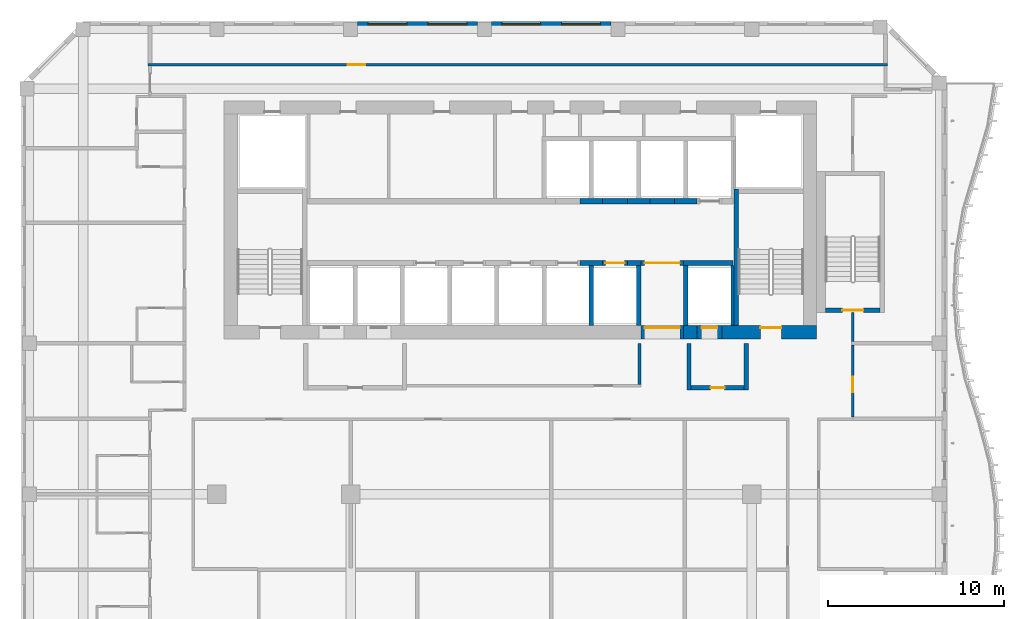
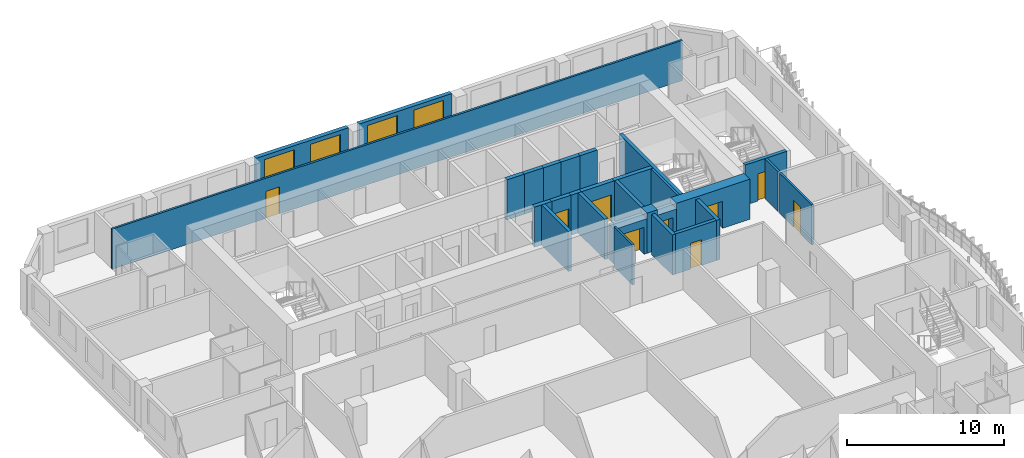
# One storey, part 9 of 21: 29 walls, 9 doors, 4 windows, 13 openings.
"""IFC4 building model written with IfcOpenShell, lengths in metres."""

from ifc_helpers import new_model, si_unit, direction, frame, frame_2d, origin, place, context, subcontext, project, spatial, rectangle, extrude, source, transform, mapped, material, layer, layer_set, type_object, element, fill, save


model = new_model("IFC4")

# Units and contexts
model_context = context("Model", 3, precision=1e-05, world=origin(), true_north=direction((0.0, 1.0)))
body_context = subcontext(model_context, "Body", "Model", "MODEL_VIEW")
ifc_project = project(units=[si_unit("LENGTHUNIT", "METRE"), si_unit("AREAUNIT", "SQUARE_METRE"), si_unit("VOLUMEUNIT", "CUBIC_METRE"), si_unit("PLANEANGLEUNIT", "RADIAN"), si_unit("MASSUNIT", "GRAM", prefix="KILO")], contexts=[model_context])

# Site, building, storey
site_placement = place(None, origin())
site = spatial("IfcSite", under=ifc_project, at=site_placement, CompositionType="ELEMENT")
building_placement = place(site_placement, origin())
building = spatial("IfcBuilding", under=site, at=building_placement, Name="Kilnfold Tower and Market Hall", CompositionType="ELEMENT")
storey_placement = place(building_placement, frame((0.0, 0.0, 182.10009765625)))
storey = spatial("IfcBuildingStorey", under=building, at=storey_placement, Name="L43", CompositionType="ELEMENT", Elevation=182.10009765625)

# Wall, opening, door
ifc_material_1 = material(Name="Gypsum board on steel studs", Category="steel")
ifc_layer_1 = layer(ifc_material_1, 0.14990234375)
ifc_layer_set_1 = layer_set([ifc_layer_1], Name="Gypsum board on steel studs")
wall_type_1 = type_object("IfcWallType", Name="WALL CORRIDOR 150", PredefinedType="PARTITIONING", material=ifc_layer_set_1)
wall_1_placement = place(storey_placement, frame((19.89990234375, 3.80908203125, 0.0), z_axis=(0.0, 0.0, 1.0), x_axis=(0.0, 1.0, 0.0)))
wall_1 = element("IfcWall", 1, at=wall_1_placement, inside=storey, type_object=wall_type_1, Name="Partition LY27.29", PredefinedType="PARTITIONING", context=body_context, shape_type="SweptSolid", body=[
    extrude(rectangle(XDim=4.100830078125, YDim=0.14990234375, at=frame_2d((2.05029296875, 0.0))), origin(), (0.0, 0.0, 1.0), 3.119873046875),
])
opening_1_placement = place(wall_1_placement, frame((1.39990234375, 0.0, 0.0)))
opening_1 = element("IfcOpeningElement", 2, at=opening_1_placement, cuts=wall_1, Name="Opening D2", PredefinedType="OPENING", context=body_context, shape_type="SweptSolid", body=[
    extrude(rectangle(XDim=0.89990234375, YDim=2.10009765625, at=frame_2d((0.449951171875, 1.050048828125))), frame((0.0, 0.0849609375, 0.0), z_axis=(0.0, -1.0, 0.0), x_axis=(1.0, 0.0, 0.0)), (0.0, 0.0, 1.0), 0.169921875),
])
ifc_material_2 = material(Name="Timber veneer door leaf in steel frame", Category="steel")
door_type_1 = type_object("IfcDoorType", Name="DOOR ROOM 900 X2100", OperationType="NOTDEFINED", PredefinedType="DOOR", material=ifc_material_2)
door_1_placement = place(opening_1_placement, origin())
door_1 = element("IfcDoor", 3, at=door_1_placement, inside=storey, type_object=door_type_1, Name="Door D2", OperationType="SINGLE_SWING_LEFT", OverallHeight=2.10009765625, OverallWidth=0.89990234375, PredefinedType="DOOR", context=body_context, shape_type="SweptSolid", body=[
    extrude(rectangle(XDim=0.89990234375, YDim=2.10009765625, at=frame_2d((0.449951171875, 1.050048828125))), frame((0.0, 0.02490234375, 0.0), z_axis=(0.0, -1.0, 0.0), x_axis=(1.0, 0.0, 0.0)), (0.0, 0.0, 1.0), 0.050048828125),
])
fill(opening_1, door_1)

# Wall
wall_2_placement = place(storey_placement, frame((19.89990234375, 8.090087890625, 0.0), z_axis=(0.0, 0.0, 1.0), x_axis=(0.0, 1.0, 0.0)))
element("IfcWall", 4, at=wall_2_placement, inside=storey, type_object=wall_type_1, Name="Partition LY27.32", PredefinedType="PARTITIONING", context=body_context, shape_type="SweptSolid", body=[
    extrude(rectangle(XDim=1.659912109375, YDim=0.14990234375, at=frame_2d((0.830078125, 0.0))), origin(), (0.0, 0.0, 1.0), 3.119873046875),
])

# Wall, opening, door
wall_3_placement = place(storey_placement, frame((21.85009765625, 23.800048828125, 0.0), z_axis=(0.0, 0.0, 1.0), x_axis=(-1.0, 0.0, 0.0)))
wall_3 = element("IfcWall", 5, at=wall_3_placement, inside=storey, type_object=wall_type_1, Name="Partition LY27.39", PredefinedType="PARTITIONING", context=body_context, shape_type="SweptSolid", body=[
    extrude(rectangle(XDim=41.9091796875, YDim=0.14990234375, at=frame_2d((20.95458984375, 0.0))), origin(), (0.0, 0.0, 1.0), 3.119873046875),
])
opening_2_placement = place(wall_3_placement, frame((29.60693359375, 0.0, 0.0)))
opening_2 = element("IfcOpeningElement", 6, at=opening_2_placement, cuts=wall_3, Name="Opening D4", PredefinedType="OPENING", context=body_context, shape_type="SweptSolid", body=[
    extrude(rectangle(XDim=1.0, YDim=2.10009765625, at=frame_2d((0.5, 1.050048828125))), frame((0.0, 0.0849609375, 0.0), z_axis=(0.0, -1.0, 0.0), x_axis=(1.0, 0.0, 0.0)), (0.0, 0.0, 1.0), 0.169921875),
])
ifc_material_3 = material(Name="Timber veneer door leaf in steel frame", Category="steel")
door_type_2 = type_object("IfcDoorType", Name="DOOR SERVICE 1000 X2100", OperationType="NOTDEFINED", PredefinedType="DOOR", material=ifc_material_3)
door_2_placement = place(opening_2_placement, origin())
door_2 = element("IfcDoor", 7, at=door_2_placement, inside=storey, type_object=door_type_2, Name="Door D4", OperationType="SINGLE_SWING_LEFT", OverallHeight=2.10009765625, OverallWidth=1.0, PredefinedType="DOOR", context=body_context, shape_type="SweptSolid", body=[
    extrude(rectangle(XDim=1.0, YDim=2.10009765625, at=frame_2d((0.5, 1.050048828125))), frame((0.0, 0.02490234375, 0.0), z_axis=(0.0, -1.0, 0.0), x_axis=(1.0, 0.0, 0.0)), (0.0, 0.0, 1.0), 0.050048828125),
])
fill(opening_2, door_2)

# Walls
wall_4_placement = place(storey_placement, frame((7.800048828125, 8.0, 0.0), z_axis=(0.0, 0.0, 1.0), x_axis=(0.0, -1.0, 0.0)))
element("IfcWall", 8, at=wall_4_placement, inside=storey, type_object=wall_type_1, Name="Partition LY27.41", PredefinedType="PARTITIONING", context=body_context, shape_type="SweptSolid", body=[
    extrude(rectangle(XDim=2.324951171875, YDim=0.14990234375, at=frame_2d((1.16259765625, 0.0))), origin(), (0.0, 0.0, 1.0), 3.119873046875),
])
ifc_material_4 = material(Name="Concrete C60", Category="concrete")
ifc_layer_2 = layer(ifc_material_4, 0.25)
ifc_layer_set_2 = layer_set([ifc_layer_2], Name="Concrete C60")
wall_type_2 = type_object("IfcWallType", Name="CORE WALL 250 C60", PredefinedType="SHEAR", material=ifc_layer_set_2)
shared_shape_1 = source(origin(), body_context, "Body", "SweptSolid", [
    extrude(rectangle(XDim=7.75, YDim=0.25, at=frame_2d((3.875, 0.0))), origin(), (0.0, 0.0, 1.0), 3.119873046875),
])
wall_5_placement = place(storey_placement, frame((13.27490234375, 9.0, 0.0), z_axis=(0.0, 0.0, 1.0), x_axis=(0.0, 1.0, 0.0)))
element("IfcWall", 9, at=wall_5_placement, inside=storey, type_object=wall_type_2, Name="Stair enclosure ST2", PredefinedType="SHEAR", context=body_context, shape_type="MappedRepresentation", body=[
    mapped(shared_shape_1, transform((0.0, 0.0, 0.0))),
])

# Wall, opening, door
shared_shape_2 = source(origin(), body_context, "Body", "SweptSolid", [
    extrude(rectangle(XDim=3.099853515625, YDim=0.25, at=frame_2d((1.5498046875, 0.0))), origin(), (0.0, 0.0, 1.0), 3.119873046875),
])
wall_6_placement = place(storey_placement, frame((18.35009765625, 9.875, 0.0), z_axis=(0.0, 0.0, 1.0), x_axis=(1.0, 0.0, 0.0)))
wall_6 = element("IfcWall", 10, at=wall_6_placement, inside=storey, type_object=wall_type_2, Name="Stair enclosure ST5", PredefinedType="SHEAR", context=body_context, shape_type="MappedRepresentation", body=[
    mapped(shared_shape_2, transform((0.0, 0.0, 0.0))),
])
opening_3_placement = place(wall_6_placement, frame((0.949951171875, 0.0, 0.0)))
opening_3 = element("IfcOpeningElement", 11, at=opening_3_placement, cuts=wall_6, Name="Opening SD1", PredefinedType="OPENING", context=body_context, shape_type="SweptSolid", body=[
    extrude(rectangle(XDim=1.199951171875, YDim=2.10009765625, at=frame_2d((0.60009765625, 1.050048828125))), frame((0.0, 0.135009765625, 0.0), z_axis=(0.0, -1.0, 0.0), x_axis=(1.0, 0.0, 0.0)), (0.0, 0.0, 1.0), 0.27001953125),
])
ifc_material_5 = material(Name="Steel door set with fire-resisting leaf", Category="steel")
door_type_3 = type_object("IfcDoorType", Name="STAIR FLOOR DOOR 1200X2100", OperationType="NOTDEFINED", PredefinedType="DOOR", material=ifc_material_5)
door_3_placement = place(opening_3_placement, origin())
door_3 = element("IfcDoor", 12, at=door_3_placement, inside=storey, type_object=door_type_3, Name="Exit stair ST5 door", OperationType="DOUBLE_DOOR_SINGLE_SWING", OverallHeight=2.10009765625, OverallWidth=1.199951171875, PredefinedType="DOOR", context=body_context, shape_type="SweptSolid", body=[
    extrude(rectangle(XDim=1.199951171875, YDim=2.10009765625, at=frame_2d((0.60009765625, 1.050048828125))), frame((0.0, 0.02490234375, 0.0), z_axis=(0.0, -1.0, 0.0), x_axis=(1.0, 0.0, 0.0)), (0.0, 0.0, 1.0), 0.050048828125),
])
fill(opening_3, door_3)

# Walls
ifc_material_6 = material(Name="Concrete C60", Category="concrete")
ifc_layer_3 = layer(ifc_material_6, 0.300048828125)
ifc_layer_set_3 = layer_set([ifc_layer_3], Name="Concrete C60")
wall_type_3 = type_object("IfcWallType", Name="CORE WALL 300 C60", PredefinedType="SHEAR", material=ifc_layer_set_3)
shared_shape_3 = source(origin(), body_context, "Body", "SweptSolid", [
    extrude(rectangle(XDim=1.280029296875, YDim=0.300048828125, at=frame_2d((0.64013671875, 0.0))), origin(), (0.0, 0.0, 1.0), 3.119873046875),
])
for number, where, z_axis, x_axis, name in (
    (13, (4.429931640625, 12.550048828125, 0.0), (0.0, 0.0, 1.0), (1.0, 0.0, 0.0), "Core spine wall"),
    (14, (4.429931640625, 16.050048828125, 0.0), (0.0, 0.0, 1.0), (1.0, 0.0, 0.0), "Core spine wall"),
    (15, (9.7900390625, 16.050048828125, 0.0), (0.0, 0.0, 1.0), (1.0, 0.0, 0.0), "Core spine wall"),
):
    element("IfcWall", number, at=place(storey_placement, frame(where, z_axis=z_axis, x_axis=x_axis)), inside=storey, type_object=wall_type_3, Name=name, PredefinedType="SHEAR", context=body_context, shape_type="MappedRepresentation", body=[
        mapped(shared_shape_3, transform((0.0, 0.0, 0.0))),
    ])
shared_shape_4 = source(origin(), body_context, "Body", "SweptSolid", [
    extrude(rectangle(XDim=0.77978515625, YDim=0.300048828125, at=frame_2d((0.389892578125, 0.0))), origin(), (0.0, 0.0, 1.0), 3.119873046875),
])
wall_7_placement = place(storey_placement, frame((7.110107421875, 12.550048828125, 0.0), z_axis=(0.0, 0.0, 1.0), x_axis=(1.0, 0.0, 0.0)))
element("IfcWall", 16, at=wall_7_placement, inside=storey, type_object=wall_type_3, Name="Core spine wall", PredefinedType="SHEAR", context=body_context, shape_type="MappedRepresentation", body=[
    mapped(shared_shape_4, transform((0.0, 0.0, 0.0))),
])
shared_shape_5 = source(origin(), body_context, "Body", "SweptSolid", [
    extrude(rectangle(XDim=2.820068359375, YDim=0.300048828125, at=frame_2d((1.41015625, 0.0))), origin(), (0.0, 0.0, 1.0), 3.119873046875),
])
wall_8_placement = place(storey_placement, frame((10.2900390625, 12.550048828125, 0.0), z_axis=(0.0, 0.0, 1.0), x_axis=(1.0, 0.0, 0.0)))
element("IfcWall", 17, at=wall_8_placement, inside=storey, type_object=wall_type_3, Name="Core spine wall", PredefinedType="SHEAR", context=body_context, shape_type="MappedRepresentation", body=[
    mapped(shared_shape_5, transform((0.0, 0.0, 0.0))),
])
shared_shape_6 = source(origin(), body_context, "Body", "SweptSolid", [
    extrude(rectangle(XDim=1.27978515625, YDim=0.300048828125, at=frame_2d((0.639892578125, 0.0))), origin(), (0.0, 0.0, 1.0), 3.119873046875),
])
wall_9_placement = place(storey_placement, frame((7.110107421875, 16.050048828125, 0.0), z_axis=(0.0, 0.0, 1.0), x_axis=(1.0, 0.0, 0.0)))
element("IfcWall", 18, at=wall_9_placement, inside=storey, type_object=wall_type_3, Name="Core spine wall", PredefinedType="SHEAR", context=body_context, shape_type="MappedRepresentation", body=[
    mapped(shared_shape_6, transform((0.0, 0.0, 0.0))),
])
ifc_material_7 = material(Name="Concrete C60", Category="concrete")
ifc_layer_4 = layer(ifc_material_7, 0.75)
ifc_layer_set_4 = layer_set([ifc_layer_4], Name="Concrete C60")
wall_type_4 = type_object("IfcWallType", Name="CORE WALL 750 C60", PredefinedType="SHEAR", material=ifc_layer_set_4)
shared_shape_7 = source(origin(), body_context, "Body", "SweptSolid", [
    extrude(rectangle(XDim=0.780029296875, YDim=0.75, at=frame_2d((0.39013671875, 0.0))), origin(), (0.0, 0.0, 1.0), 3.119873046875),
])
wall_10_placement = place(storey_placement, frame((10.2900390625, 8.625, 0.0), z_axis=(0.0, 0.0, 1.0), x_axis=(1.0, 0.0, 0.0)))
element("IfcWall", 19, at=wall_10_placement, inside=storey, type_object=wall_type_4, Name="Core outer wall south", PredefinedType="SHEAR", context=body_context, shape_type="MappedRepresentation", body=[
    mapped(shared_shape_7, transform((0.0, 0.0, 0.0))),
])

# Wall, opening, door
shared_shape_8 = source(origin(), body_context, "Body", "SweptSolid", [
    extrude(rectangle(XDim=5.380126953125, YDim=0.75, at=frame_2d((2.68994140625, 0.0))), origin(), (0.0, 0.0, 1.0), 3.119873046875),
])
wall_11_placement = place(storey_placement, frame((12.469970703125, 8.625, 0.0), z_axis=(0.0, 0.0, 1.0), x_axis=(1.0, 0.0, 0.0)))
wall_11 = element("IfcWall", 20, at=wall_11_placement, inside=storey, type_object=wall_type_4, Name="Core outer wall south", PredefinedType="SHEAR", context=body_context, shape_type="MappedRepresentation", body=[
    mapped(shared_shape_8, transform((0.0, 0.0, 0.0))),
])
opening_4_placement = place(wall_11_placement, frame((2.179931640625, 0.0, 0.0)))
opening_4 = element("IfcOpeningElement", 21, at=opening_4_placement, cuts=wall_11, Name="Opening SD1", PredefinedType="OPENING", context=body_context, shape_type="SweptSolid", body=[
    extrude(rectangle(XDim=1.199951171875, YDim=2.10009765625, at=frame_2d((0.60009765625, 1.050048828125))), frame((0.0, 0.385009765625, 0.0), z_axis=(0.0, -1.0, 0.0), x_axis=(1.0, 0.0, 0.0)), (0.0, 0.0, 1.0), 0.77001953125),
])
door_4_placement = place(opening_4_placement, origin())
door_4 = element("IfcDoor", 22, at=door_4_placement, inside=storey, type_object=door_type_3, Name="Exit stair ST2 door", OperationType="DOUBLE_DOOR_SINGLE_SWING", OverallHeight=2.10009765625, OverallWidth=1.199951171875, PredefinedType="DOOR", context=body_context, shape_type="SweptSolid", body=[
    extrude(rectangle(XDim=1.199951171875, YDim=2.10009765625, at=frame_2d((0.60009765625, 1.050048828125))), frame((0.0, 0.27978515625, 0.0), z_axis=(0.0, -1.0, 0.0), x_axis=(1.0, 0.0, 0.0)), (0.0, 0.0, 1.0), 0.050048828125),
])
fill(opening_4, door_4)

# Wall, openings, windows
ifc_material_8 = material(Name="Precast concrete C50/60", Category="concrete")
ifc_layer_5 = layer(ifc_material_8, 0.300048828125)
ifc_layer_set_5 = layer_set([ifc_layer_5], Name="Precast concrete C50/60")
wall_type_5 = type_object("IfcWallType", Name="PRECAST WALL 300", PredefinedType="SOLIDWALL", material=ifc_layer_set_5)
shared_shape_9 = source(origin(), body_context, "Body", "SweptSolid", [
    extrude(rectangle(XDim=6.783447265625, YDim=0.300048828125, at=frame_2d((3.3916015625, 0.0))), origin(), (0.0, 0.0, 1.0), 3.119873046875),
])
wall_12_placement = place(storey_placement, frame((6.183349609375, 26.10009765625, 0.0), z_axis=(0.0, 0.0, 1.0), x_axis=(-1.0, 0.0, 0.0)))
wall_12 = element("IfcWall", 23, at=wall_12_placement, inside=storey, type_object=wall_type_5, Name="External wall L43 N", PredefinedType="SOLIDWALL", context=body_context, shape_type="MappedRepresentation", body=[
    mapped(shared_shape_9, transform((0.0, 0.0, 0.0))),
])
opening_5_placement = place(wall_12_placement, frame((0.595703125, 0.0, 0.85009765625)))
opening_5 = element("IfcOpeningElement", 24, at=opening_5_placement, cuts=wall_12, Name="Opening W2", PredefinedType="OPENING", context=body_context, shape_type="SweptSolid", body=[
    extrude(rectangle(XDim=2.199951171875, YDim=1.949951171875, at=frame_2d((1.10009765625, 0.97509765625))), frame((0.0, 0.16015625, 0.0), z_axis=(0.0, -1.0, 0.0), x_axis=(1.0, 0.0, 0.0)), (0.0, 0.0, 1.0), 0.320068359375),
])
opening_6_placement = place(wall_12_placement, frame((3.987548828125, 0.0, 0.85009765625)))
opening_6 = element("IfcOpeningElement", 25, at=opening_6_placement, cuts=wall_12, Name="Opening W2", PredefinedType="OPENING", context=body_context, shape_type="SweptSolid", body=[
    extrude(rectangle(XDim=2.199951171875, YDim=1.949951171875, at=frame_2d((1.10009765625, 0.97509765625))), frame((0.0, 0.16015625, 0.0), z_axis=(0.0, -1.0, 0.0), x_axis=(1.0, 0.0, 0.0)), (0.0, 0.0, 1.0), 0.320068359375),
])
ifc_material_9 = material(Name="Aluminium frame and double glazing", Category="aluminium")
window_type = type_object("IfcWindowType", Name="WINDOW W2 2200X1950", PartitioningType="SINGLE_PANEL", PredefinedType="WINDOW", material=ifc_material_9)
window_1_placement = place(opening_5_placement, origin())
window_1 = element("IfcWindow", 26, at=window_1_placement, inside=storey, type_object=window_type, Name="Window W2 L43 N-1", OverallHeight=1.949951171875, OverallWidth=2.199951171875, PartitioningType="SINGLE_PANEL", PredefinedType="WINDOW", context=body_context, shape_type="SweptSolid", body=[
    extrude(rectangle(XDim=2.199951171875, YDim=1.949951171875, at=frame_2d((1.10009765625, 0.97509765625))), frame((0.0, 0.030029296875, 0.0), z_axis=(0.0, -1.0, 0.0), x_axis=(1.0, 0.0, 0.0)), (0.0, 0.0, 1.0), 0.06005859375),
])
fill(opening_5, window_1)
window_2_placement = place(opening_6_placement, origin())
window_2 = element("IfcWindow", 27, at=window_2_placement, inside=storey, type_object=window_type, Name="Window W2 L43 N-2", OverallHeight=1.949951171875, OverallWidth=2.199951171875, PartitioningType="SINGLE_PANEL", PredefinedType="WINDOW", context=body_context, shape_type="SweptSolid", body=[
    extrude(rectangle(XDim=2.199951171875, YDim=1.949951171875, at=frame_2d((1.10009765625, 0.97509765625))), frame((0.0, 0.030029296875, 0.0), z_axis=(0.0, -1.0, 0.0), x_axis=(1.0, 0.0, 0.0)), (0.0, 0.0, 1.0), 0.06005859375),
])
fill(opening_6, window_2)

wall_13_placement = place(storey_placement, frame((-1.39990234375, 26.10009765625, 0.0), z_axis=(0.0, 0.0, 1.0), x_axis=(-1.0, 0.0, 0.0)))
wall_13 = element("IfcWall", 28, at=wall_13_placement, inside=storey, type_object=wall_type_5, Name="External wall L43 N", PredefinedType="SOLIDWALL", context=body_context, shape_type="MappedRepresentation", body=[
    mapped(shared_shape_9, transform((0.0, 0.0, 0.0))),
])
opening_7_placement = place(wall_13_placement, frame((0.595703125, 0.0, 0.85009765625)))
opening_7 = element("IfcOpeningElement", 29, at=opening_7_placement, cuts=wall_13, Name="Opening W2", PredefinedType="OPENING", context=body_context, shape_type="SweptSolid", body=[
    extrude(rectangle(XDim=2.199951171875, YDim=1.949951171875, at=frame_2d((1.10009765625, 0.97509765625))), frame((0.0, 0.16015625, 0.0), z_axis=(0.0, -1.0, 0.0), x_axis=(1.0, 0.0, 0.0)), (0.0, 0.0, 1.0), 0.320068359375),
])
opening_8_placement = place(wall_13_placement, frame((3.987548828125, 0.0, 0.85009765625)))
opening_8 = element("IfcOpeningElement", 30, at=opening_8_placement, cuts=wall_13, Name="Opening W2", PredefinedType="OPENING", context=body_context, shape_type="SweptSolid", body=[
    extrude(rectangle(XDim=2.199951171875, YDim=1.949951171875, at=frame_2d((1.10009765625, 0.97509765625))), frame((0.0, 0.16015625, 0.0), z_axis=(0.0, -1.0, 0.0), x_axis=(1.0, 0.0, 0.0)), (0.0, 0.0, 1.0), 0.320068359375),
])
window_3_placement = place(opening_7_placement, origin())
window_3 = element("IfcWindow", 31, at=window_3_placement, inside=storey, type_object=window_type, Name="Window W2 L43 N-1", OverallHeight=1.949951171875, OverallWidth=2.199951171875, PartitioningType="SINGLE_PANEL", PredefinedType="WINDOW", context=body_context, shape_type="SweptSolid", body=[
    extrude(rectangle(XDim=2.199951171875, YDim=1.949951171875, at=frame_2d((1.10009765625, 0.97509765625))), frame((0.0, 0.030029296875, 0.0), z_axis=(0.0, -1.0, 0.0), x_axis=(1.0, 0.0, 0.0)), (0.0, 0.0, 1.0), 0.06005859375),
])
fill(opening_7, window_3)
window_4_placement = place(opening_8_placement, origin())
window_4 = element("IfcWindow", 32, at=window_4_placement, inside=storey, type_object=window_type, Name="Window W2 L43 N-2", OverallHeight=1.949951171875, OverallWidth=2.199951171875, PartitioningType="SINGLE_PANEL", PredefinedType="WINDOW", context=body_context, shape_type="SweptSolid", body=[
    extrude(rectangle(XDim=2.199951171875, YDim=1.949951171875, at=frame_2d((1.10009765625, 0.97509765625))), frame((0.0, 0.030029296875, 0.0), z_axis=(0.0, -1.0, 0.0), x_axis=(1.0, 0.0, 0.0)), (0.0, 0.0, 1.0), 0.06005859375),
])
fill(opening_8, window_4)

# Wall, opening, door
ifc_material_10 = material(Name="Gypsum shaft wall system")
ifc_layer_6 = layer(ifc_material_10, 0.300048828125)
ifc_layer_set_6 = layer_set([ifc_layer_6], Name="Gypsum shaft wall system")
wall_type_6 = type_object("IfcWallType", Name="SHAFT WALL 300", PredefinedType="PARTITIONING", material=ifc_layer_set_6)
shared_shape_10 = source(origin(), body_context, "Body", "SweptSolid", [
    extrude(rectangle(XDim=1.400146484375, YDim=0.300048828125, at=frame_2d((0.7001953125, 0.0))), origin(), (0.0, 0.0, 1.0), 3.119873046875),
])
wall_14_placement = place(storey_placement, frame((5.7099609375, 12.550048828125, 0.0), z_axis=(0.0, 0.0, 1.0), x_axis=(1.0, 0.0, 0.0)))
wall_14 = element("IfcWall", 33, at=wall_14_placement, inside=storey, type_object=wall_type_6, Name="Lift shaft front wall", PredefinedType="PARTITIONING", context=body_context, shape_type="MappedRepresentation", body=[
    mapped(shared_shape_10, transform((0.0, 0.0, 0.0))),
])
opening_9_placement = place(wall_14_placement, frame((0.14990234375, 0.0, 0.0)))
opening_9 = element("IfcOpeningElement", 34, at=opening_9_placement, cuts=wall_14, Name="Opening LD2", PredefinedType="OPENING", context=body_context, shape_type="SweptSolid", body=[
    extrude(rectangle(XDim=1.10009765625, YDim=2.10009765625, at=frame_2d((0.550048828125, 1.050048828125))), frame((0.0, 0.16015625, 0.0), z_axis=(0.0, -1.0, 0.0), x_axis=(1.0, 0.0, 0.0)), (0.0, 0.0, 1.0), 0.320068359375),
])
ifc_material_11 = material(Name="Steel door set with fire-resisting leaf", Category="steel")
door_type_4 = type_object("IfcDoorType", Name="LANDING DOOR 1100X2100", OperationType="NOTDEFINED", PredefinedType="DOOR", material=ifc_material_11)
door_5_placement = place(opening_9_placement, origin())
door_5 = element("IfcDoor", 35, at=door_5_placement, inside=storey, type_object=door_type_4, Name="Landing door MR5", OperationType="DOUBLE_DOOR_SLIDING", OverallHeight=2.10009765625, OverallWidth=1.10009765625, PredefinedType="DOOR", context=body_context, shape_type="SweptSolid", body=[
    extrude(rectangle(XDim=1.10009765625, YDim=2.10009765625, at=frame_2d((0.550048828125, 1.050048828125))), frame((0.0, 0.02490234375, 0.0), z_axis=(0.0, -1.0, 0.0), x_axis=(1.0, 0.0, 0.0)), (0.0, 0.0, 1.0), 0.050048828125),
])
fill(opening_9, door_5)

# Walls
for number, where, z_axis, x_axis, name in (
    (36, (5.7099609375, 16.050048828125, 0.0), (0.0, 0.0, 1.0), (1.0, 0.0, 0.0), "Lift shaft front wall"),
    (37, (8.389892578125, 16.050048828125, 0.0), (0.0, 0.0, 1.0), (1.0, 0.0, 0.0), "Lift shaft front wall"),
):
    element("IfcWall", number, at=place(storey_placement, frame(where, z_axis=z_axis, x_axis=x_axis)), inside=storey, type_object=wall_type_6, Name=name, PredefinedType="PARTITIONING", context=body_context, shape_type="MappedRepresentation", body=[
        mapped(shared_shape_10, transform((0.0, 0.0, 0.0))),
    ])

# Wall, opening, door
shared_shape_11 = source(origin(), body_context, "Body", "SweptSolid", [
    extrude(rectangle(XDim=2.400146484375, YDim=0.300048828125, at=frame_2d((1.2001953125, 0.0))), origin(), (0.0, 0.0, 1.0), 3.119873046875),
])
wall_15_placement = place(storey_placement, frame((7.889892578125, 12.550048828125, 0.0), z_axis=(0.0, 0.0, 1.0), x_axis=(1.0, 0.0, 0.0)))
wall_15 = element("IfcWall", 38, at=wall_15_placement, inside=storey, type_object=wall_type_6, Name="Lift shaft front wall", PredefinedType="PARTITIONING", context=body_context, shape_type="MappedRepresentation", body=[
    mapped(shared_shape_11, transform((0.0, 0.0, 0.0))),
])
opening_10_placement = place(wall_15_placement, frame((0.199951171875, 0.0, 0.0)))
opening_10 = element("IfcOpeningElement", 39, at=opening_10_placement, cuts=wall_15, Name="Opening VD2", PredefinedType="OPENING", context=body_context, shape_type="SweptSolid", body=[
    extrude(rectangle(XDim=2.0, YDim=2.10009765625, at=frame_2d((1.0, 1.050048828125))), frame((0.0, 0.16015625, 0.0), z_axis=(0.0, -1.0, 0.0), x_axis=(1.0, 0.0, 0.0)), (0.0, 0.0, 1.0), 0.320068359375),
])
ifc_material_12 = material(Name="Steel door set with fire-resisting leaf", Category="steel")
door_type_5 = type_object("IfcDoorType", Name="LIFT LOBBY ENTRANCE DOOR 2000X2100", OperationType="NOTDEFINED", PredefinedType="DOOR", material=ifc_material_12)
door_6_placement = place(opening_10_placement, origin())
door_6 = element("IfcDoor", 40, at=door_6_placement, inside=storey, type_object=door_type_5, Name="Lift lobby entrance door", OperationType="DOUBLE_DOOR_SINGLE_SWING", OverallHeight=2.10009765625, OverallWidth=2.0, PredefinedType="DOOR", context=body_context, shape_type="SweptSolid", body=[
    extrude(rectangle(XDim=2.0, YDim=2.10009765625, at=frame_2d((1.0, 1.050048828125))), frame((0.0, 0.02490234375, 0.0), z_axis=(0.0, -1.0, 0.0), x_axis=(1.0, 0.0, 0.0)), (0.0, 0.0, 1.0), 0.050048828125),
])
fill(opening_10, door_6)

# Walls
ifc_material_13 = material(Name="Gypsum shaft wall system")
ifc_layer_7 = layer(ifc_material_13, 0.25)
ifc_layer_set_7 = layer_set([ifc_layer_7], Name="Gypsum shaft wall system")
wall_type_7 = type_object("IfcWallType", Name="LOBBY WALL 250", PredefinedType="PARTITIONING", material=ifc_layer_set_7)
shared_shape_12 = source(origin(), body_context, "Body", "SweptSolid", [
    extrude(rectangle(XDim=2.64990234375, YDim=0.25, at=frame_2d((1.324951171875, 0.0))), origin(), (0.0, 0.0, 1.0), 3.119873046875),
])
for number, where, z_axis, x_axis, name in (
    (41, (10.60498046875, 5.35009765625, 0.0), (0.0, 0.0, 1.0), (0.0, 1.0, 0.0), "Firefighting lobby wall"),
    (42, (13.85498046875, 5.35009765625, 0.0), (0.0, 0.0, 1.0), (0.0, 1.0, 0.0), "Firefighting lobby wall"),
):
    element("IfcWall", number, at=place(storey_placement, frame(where, z_axis=z_axis, x_axis=x_axis)), inside=storey, type_object=wall_type_7, Name=name, PredefinedType="PARTITIONING", context=body_context, shape_type="MappedRepresentation", body=[
        mapped(shared_shape_12, transform((0.0, 0.0, 0.0))),
    ])

# Wall, opening, door
shared_shape_13 = source(origin(), body_context, "Body", "SweptSolid", [
    extrude(rectangle(XDim=3.0, YDim=0.25, at=frame_2d((1.5, 0.0))), origin(), (0.0, 0.0, 1.0), 3.119873046875),
])
wall_16_placement = place(storey_placement, frame((10.72998046875, 5.47509765625, 0.0), z_axis=(0.0, 0.0, 1.0), x_axis=(1.0, 0.0, 0.0)))
wall_16 = element("IfcWall", 43, at=wall_16_placement, inside=storey, type_object=wall_type_7, Name="Firefighting lobby wall", PredefinedType="PARTITIONING", context=body_context, shape_type="MappedRepresentation", body=[
    mapped(shared_shape_13, transform((0.0, 0.0, 0.0))),
])
opening_11_placement = place(wall_16_placement, frame((1.10009765625, 0.0, 0.0)))
opening_11 = element("IfcOpeningElement", 44, at=opening_11_placement, cuts=wall_16, Name="Opening VD1", PredefinedType="OPENING", context=body_context, shape_type="SweptSolid", body=[
    extrude(rectangle(XDim=0.800048828125, YDim=2.0, at=frame_2d((0.39990234375, 1.0))), frame((0.0, 0.135009765625, 0.0), z_axis=(0.0, -1.0, 0.0), x_axis=(1.0, 0.0, 0.0)), (0.0, 0.0, 1.0), 0.27001953125),
])
ifc_material_14 = material(Name="Steel door set with fire-resisting leaf", Category="steel")
door_type_6 = type_object("IfcDoorType", Name="FIREFIGHTING LOBBY DOOR 800X2000", OperationType="NOTDEFINED", PredefinedType="DOOR", material=ifc_material_14)
door_7_placement = place(opening_11_placement, origin())
door_7 = element("IfcDoor", 45, at=door_7_placement, inside=storey, type_object=door_type_6, Name="Firefighting lobby door", OperationType="SINGLE_SWING_RIGHT", OverallHeight=2.0, OverallWidth=0.800048828125, PredefinedType="DOOR", context=body_context, shape_type="SweptSolid", body=[
    extrude(rectangle(XDim=0.800048828125, YDim=2.0, at=frame_2d((0.39990234375, 1.0))), frame((0.0, 0.02490234375, 0.0), z_axis=(0.0, -1.0, 0.0), x_axis=(1.0, 0.0, 0.0)), (0.0, 0.0, 1.0), 0.050048828125),
])
fill(opening_11, door_7)

# Walls
ifc_material_15 = material(Name="Gypsum shaft wall system")
ifc_layer_8 = layer(ifc_material_15, 0.25)
ifc_layer_set_8 = layer_set([ifc_layer_8], Name="Gypsum shaft wall system")
wall_type_8 = type_object("IfcWallType", Name="SHAFT WALL 250", PredefinedType="PARTITIONING", material=ifc_layer_set_8)
shared_shape_14 = source(origin(), body_context, "Body", "SweptSolid", [
    extrude(rectangle(XDim=3.39990234375, YDim=0.25, at=frame_2d((1.699951171875, 0.0))), origin(), (0.0, 0.0, 1.0), 3.119873046875),
])
for number, where, z_axis, x_axis, name in (
    (46, (10.429931640625, 9.0, 0.0), (0.0, 0.0, 1.0), (0.0, 1.0, 0.0), "Lift shaft wall"),
    (47, (5.070068359375, 9.0, 0.0), (0.0, 0.0, 1.0), (0.0, 1.0, 0.0), "Lift shaft wall"),
    (48, (7.75, 9.0, 0.0), (0.0, 0.0, 1.0), (0.0, 1.0, 0.0), "Lift shaft wall"),
):
    element("IfcWall", number, at=place(storey_placement, frame(where, z_axis=z_axis, x_axis=x_axis)), inside=storey, type_object=wall_type_8, Name=name, PredefinedType="PARTITIONING", context=body_context, shape_type="MappedRepresentation", body=[
        mapped(shared_shape_14, transform((0.0, 0.0, 0.0))),
    ])
ifc_material_16 = material(Name="Gypsum shaft wall system")
ifc_layer_9 = layer(ifc_material_16, 0.1650390625)
ifc_layer_set_9 = layer_set([ifc_layer_9], Name="Gypsum shaft wall system")
wall_type_9 = type_object("IfcWallType", Name="SHAFT WALL 165", PredefinedType="PARTITIONING", material=ifc_layer_set_9)
shared_shape_15 = source(origin(), body_context, "Body", "SweptSolid", [
    extrude(rectangle(XDim=3.39990234375, YDim=0.1650390625, at=frame_2d((1.699951171875, 0.0))), origin(), (0.0, 0.0, 1.0), 3.119873046875),
])
wall_17_placement = place(storey_placement, frame((13.0673828125, 9.0, 0.0), z_axis=(0.0, 0.0, 1.0), x_axis=(0.0, 1.0, 0.0)))
element("IfcWall", 49, at=wall_17_placement, inside=storey, type_object=wall_type_9, Name="Lift shaft wall", PredefinedType="PARTITIONING", context=body_context, shape_type="MappedRepresentation", body=[
    mapped(shared_shape_15, transform((0.0, 0.0, 0.0))),
])

# Wall, opening, door
ifc_material_17 = material(Name="Gypsum shaft wall system")
ifc_layer_10 = layer(ifc_material_17, 0.75)
ifc_layer_set_10 = layer_set([ifc_layer_10], Name="Gypsum shaft wall system")
wall_type_10 = type_object("IfcWallType", Name="LOBBY WALL 750", PredefinedType="PARTITIONING", material=ifc_layer_set_10)
shared_shape_16 = source(origin(), body_context, "Body", "SweptSolid", [
    extrude(rectangle(XDim=1.39990234375, YDim=0.75, at=frame_2d((0.699951171875, 0.0))), origin(), (0.0, 0.0, 1.0), 2.699951171875),
])
wall_18_placement = place(storey_placement, frame((11.070068359375, 8.625, 0.0), z_axis=(0.0, 0.0, 1.0), x_axis=(1.0, 0.0, 0.0)))
wall_18 = element("IfcWall", 50, at=wall_18_placement, inside=storey, type_object=wall_type_10, Name="Core wall infill", PredefinedType="PARTITIONING", context=body_context, shape_type="MappedRepresentation", body=[
    mapped(shared_shape_16, transform((0.0, 0.0, 0.0))),
])
opening_12_placement = place(wall_18_placement, frame((0.25, 0.0, 0.0)))
opening_12 = element("IfcOpeningElement", 51, at=opening_12_placement, cuts=wall_18, Name="Opening LD1", PredefinedType="OPENING", context=body_context, shape_type="SweptSolid", body=[
    extrude(rectangle(XDim=0.89990234375, YDim=2.10009765625, at=frame_2d((0.449951171875, 1.050048828125))), frame((0.0, 0.385009765625, 0.0), z_axis=(0.0, -1.0, 0.0), x_axis=(1.0, 0.0, 0.0)), (0.0, 0.0, 1.0), 0.77001953125),
])
ifc_material_18 = material(Name="Steel door set with fire-resisting leaf", Category="steel")
door_type_7 = type_object("IfcDoorType", Name="FIREFIGHTING LANDING DOOR 900X2100", OperationType="NOTDEFINED", PredefinedType="DOOR", material=ifc_material_18)
door_8_placement = place(opening_12_placement, origin())
door_8 = element("IfcDoor", 52, at=door_8_placement, inside=storey, type_object=door_type_7, Name="Landing door FF3", OperationType="SLIDING_TO_LEFT", OverallHeight=2.10009765625, OverallWidth=0.89990234375, PredefinedType="DOOR", context=body_context, shape_type="SweptSolid", body=[
    extrude(rectangle(XDim=0.89990234375, YDim=2.10009765625, at=frame_2d((0.449951171875, 1.050048828125))), frame((0.0, 0.27978515625, 0.0), z_axis=(0.0, -1.0, 0.0), x_axis=(1.0, 0.0, 0.0)), (0.0, 0.0, 1.0), 0.050048828125),
])
fill(opening_12, door_8)

shared_shape_17 = source(origin(), body_context, "Body", "SweptSolid", [
    extrude(rectangle(XDim=2.400146484375, YDim=0.75, at=frame_2d((1.2001953125, 0.0))), origin(), (0.0, 0.0, 1.0), 2.699951171875),
])
wall_19_placement = place(storey_placement, frame((7.889892578125, 8.625, 0.0), z_axis=(0.0, 0.0, 1.0), x_axis=(1.0, 0.0, 0.0)))
wall_19 = element("IfcWall", 53, at=wall_19_placement, inside=storey, type_object=wall_type_10, Name="Core wall infill", PredefinedType="PARTITIONING", context=body_context, shape_type="MappedRepresentation", body=[
    mapped(shared_shape_17, transform((0.0, 0.0, 0.0))),
])
opening_13_placement = place(wall_19_placement, frame((0.199951171875, 0.0, 0.0)))
opening_13 = element("IfcOpeningElement", 54, at=opening_13_placement, cuts=wall_19, Name="Opening VD2", PredefinedType="OPENING", context=body_context, shape_type="SweptSolid", body=[
    extrude(rectangle(XDim=2.0, YDim=2.10009765625, at=frame_2d((1.0, 1.050048828125))), frame((0.0, 0.385009765625, 0.0), z_axis=(0.0, -1.0, 0.0), x_axis=(1.0, 0.0, 0.0)), (0.0, 0.0, 1.0), 0.77001953125),
])
door_9_placement = place(opening_13_placement, origin())
door_9 = element("IfcDoor", 55, at=door_9_placement, inside=storey, type_object=door_type_5, Name="Lift lobby entrance door", OperationType="DOUBLE_DOOR_SINGLE_SWING", OverallHeight=2.10009765625, OverallWidth=2.0, PredefinedType="DOOR", context=body_context, shape_type="SweptSolid", body=[
    extrude(rectangle(XDim=2.0, YDim=2.10009765625, at=frame_2d((1.0, 1.050048828125))), frame((0.0, 0.27978515625, 0.0), z_axis=(0.0, -1.0, 0.0), x_axis=(1.0, 0.0, 0.0)), (0.0, 0.0, 1.0), 0.050048828125),
])
fill(opening_13, door_9)

save(model, "model.ifc")
